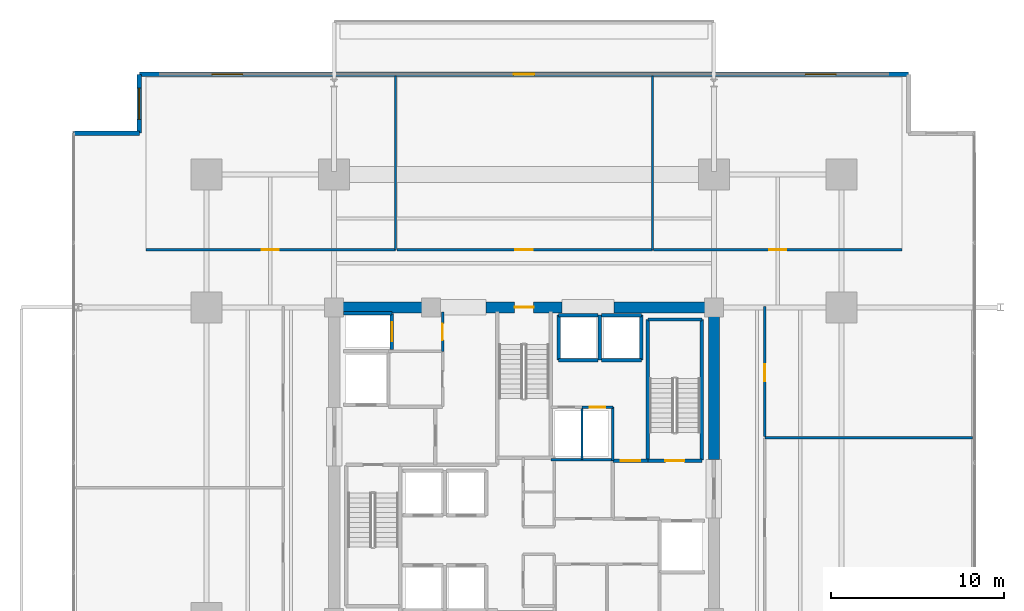
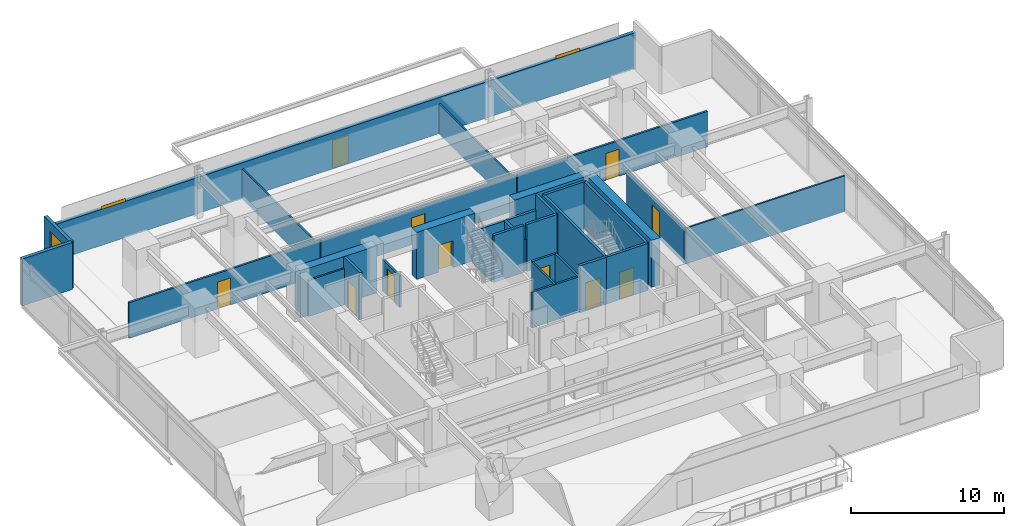
# One storey, part 17 of 22: 33 walls, 11 doors, 3 windows, 14 openings.
"""IFC4 building model written with IfcOpenShell, lengths in metres."""

from ifc_helpers import new_model, si_unit, direction, frame, frame_2d, origin, place, context, subcontext, project, spatial, rectangle, extrude, material, layer, layer_set, type_object, element, fill, save


model = new_model("IFC4")

# Units and contexts
model_context = context("Model", 3, precision=1e-05, world=origin(), true_north=direction((0.0, 1.0)))
body_context = subcontext(model_context, "Body", "Model", "MODEL_VIEW")
ifc_project = project(units=[si_unit("LENGTHUNIT", "METRE"), si_unit("AREAUNIT", "SQUARE_METRE"), si_unit("VOLUMEUNIT", "CUBIC_METRE"), si_unit("PLANEANGLEUNIT", "RADIAN"), si_unit("MASSUNIT", "GRAM", prefix="KILO")], contexts=[model_context])

# Site, building, storey
site_placement = place(None, origin())
site = spatial("IfcSite", under=ifc_project, at=site_placement, CompositionType="ELEMENT")
building_placement = place(site_placement, origin())
building = spatial("IfcBuilding", under=site, at=building_placement, Name="Kovane Verandah Tower", CompositionType="ELEMENT")
storey_placement = place(building_placement, frame((0.0, 0.0, 71.60009765625)))
storey = spatial("IfcBuildingStorey", under=building, at=storey_placement, Name="L16", CompositionType="ELEMENT", Elevation=71.60009765625)

# Wall, opening, door
ifc_material_1 = material(Name="Fire-Rated Gypsum Stud Partition", Category="gypsum")
ifc_layer_1 = layer(ifc_material_1, 0.14990234375)
ifc_layer_set_1 = layer_set([ifc_layer_1], Name="Fire-Rated Gypsum Stud Partition")
wall_type_1 = type_object("IfcWallType", Name="WL-COR-150", PredefinedType="PARTITIONING", material=ifc_layer_set_1)
wall_1_placement = place(storey_placement, frame((35.280029296875, 33.949951171875, 0.0), z_axis=(0.0, 0.0, 1.0), x_axis=(0.0, 1.0, 0.0)))
wall_1 = element("IfcWall", 1, at=wall_1_placement, inside=storey, type_object=wall_type_1, Name="L16 Goods Lift Lobby East Fire Partition", PredefinedType="PARTITIONING", context=body_context, shape_type="SweptSolid", body=[
    extrude(rectangle(XDim=2.27001953125, YDim=0.14990234375, at=frame_2d((1.135009765625, 0.0))), origin(), (0.0, 0.0, 1.0), 2.539794921875),
])
opening_1_placement = place(wall_1_placement, frame((0.659912109375, 0.0, 0.0)))
opening_1 = element("IfcOpeningElement", 2, at=opening_1_placement, cuts=wall_1, Name="Opening DR-L16-008", PredefinedType="OPENING", context=body_context, shape_type="SweptSolid", body=[
    extrude(rectangle(XDim=0.949951171875, YDim=2.14990234375, at=frame_2d((0.47509765625, 1.074951171875))), frame((0.0, 0.074951171875, 0.0), z_axis=(0.0, -1.0, 0.0), x_axis=(1.0, 0.0, 0.0)), (0.0, 0.0, 1.0), 0.14990234375),
])
ifc_material_2 = material(Name="Fire-Rated Steel Refuge and Lobby Door", Category="steel")
door_type_1 = type_object("IfcDoorType", Name="DR-FIRE-950", OperationType="SINGLE_SWING_LEFT", PredefinedType="DOOR", material=ifc_material_2)
door_1_placement = place(opening_1_placement, origin())
door_1 = element("IfcDoor", 3, at=door_1_placement, inside=storey, type_object=door_type_1, Name="L16 Goods Lift Lobby Fire Door", OperationType="SINGLE_SWING_RIGHT", OverallHeight=2.14990234375, OverallWidth=0.949951171875, PredefinedType="DOOR", context=body_context, shape_type="SweptSolid", body=[
    extrude(rectangle(XDim=0.949951171875, YDim=2.14990234375, at=frame_2d((0.47509765625, 1.074951171875))), frame((0.0, 0.02490234375, 0.0), z_axis=(0.0, -1.0, 0.0), x_axis=(1.0, 0.0, 0.0)), (0.0, 0.0, 1.0), 0.050048828125),
])
fill(opening_1, door_1)

# Walls
wall_2_placement = place(storey_placement, frame((41.56005859375, 27.679931640625, 0.0), z_axis=(0.0, 0.0, 1.0), x_axis=(1.0, 0.0, 0.0)))
element("IfcWall", 4, at=wall_2_placement, inside=storey, type_object=wall_type_1, Name="L16 East Core Service Riser South Wall", PredefinedType="PARTITIONING", context=body_context, shape_type="SweptSolid", body=[
    extrude(rectangle(XDim=3.58984375, YDim=0.14990234375, at=frame_2d((1.794921875, 0.0))), origin(), (0.0, 0.0, 1.0), 2.849853515625),
])
wall_3_placement = place(storey_placement, frame((45.14990234375, 27.6201171875, 0.0), z_axis=(0.0, 0.0, 1.0), x_axis=(0.0, 1.0, 0.0)))
element("IfcWall", 5, at=wall_3_placement, inside=storey, type_object=wall_type_1, Name="L16 East Core Service Riser East Wall", PredefinedType="PARTITIONING", context=body_context, shape_type="SweptSolid", body=[
    extrude(rectangle(XDim=3.099853515625, YDim=0.14990234375, at=frame_2d((1.5498046875, 0.0))), origin(), (0.0, 0.0, 1.0), 2.849853515625),
])

# Wall, opening, door
wall_4_placement = place(storey_placement, frame((43.360107421875, 30.719970703125, 0.0), z_axis=(0.0, 0.0, 1.0), x_axis=(1.0, 0.0, 0.0)))
wall_4 = element("IfcWall", 6, at=wall_4_placement, inside=storey, type_object=wall_type_1, Name="L16 Smoke Extract Duct Room Partition", PredefinedType="PARTITIONING", context=body_context, shape_type="SweptSolid", body=[
    extrude(rectangle(XDim=1.789794921875, YDim=0.14990234375, at=frame_2d((0.89501953125, 0.0))), origin(), (0.0, 0.0, 1.0), 2.849853515625),
])
opening_2_placement = place(wall_4_placement, frame((0.455078125, 0.0, 0.0)))
opening_2 = element("IfcOpeningElement", 7, at=opening_2_placement, cuts=wall_4, Name="Opening DR-L16-018", PredefinedType="OPENING", context=body_context, shape_type="SweptSolid", body=[
    extrude(rectangle(XDim=0.8798828125, YDim=2.10009765625, at=frame_2d((0.43994140625, 1.050048828125))), frame((0.0, 0.074951171875, 0.0), z_axis=(0.0, -1.0, 0.0), x_axis=(1.0, 0.0, 0.0)), (0.0, 0.0, 1.0), 0.14990234375),
])
ifc_material_3 = material(Name="Fire-Rated Steel Riser Access Door", Category="steel")
door_type_2 = type_object("IfcDoorType", Name="DR-RISER-880", OperationType="SINGLE_SWING_LEFT", PredefinedType="DOOR", material=ifc_material_3)
door_2_placement = place(opening_2_placement, origin())
door_2 = element("IfcDoor", 8, at=door_2_placement, inside=storey, type_object=door_type_2, Name="L16 Smoke Extract Duct Room Door", OperationType="SINGLE_SWING_RIGHT", OverallHeight=2.10009765625, OverallWidth=0.8798828125, PredefinedType="DOOR", context=body_context, shape_type="SweptSolid", body=[
    extrude(rectangle(XDim=0.8798828125, YDim=2.10009765625, at=frame_2d((0.43994140625, 1.050048828125))), frame((0.0, 0.02490234375, 0.0), z_axis=(0.0, -1.0, 0.0), x_axis=(1.0, 0.0, 0.0)), (0.0, 0.0, 1.0), 0.050048828125),
])
fill(opening_2, door_2)

wall_5_placement = place(storey_placement, frame((18.113525390625, 39.85009765625, 0.0), z_axis=(0.0, 0.0, 1.0), x_axis=(1.0, 0.0, 0.0)))
wall_5 = element("IfcWall", 9, at=wall_5_placement, inside=storey, type_object=wall_type_1, Name="L16 Meeting Room N1 Corridor Partition", PredefinedType="PARTITIONING", context=body_context, shape_type="SweptSolid", body=[
    extrude(rectangle(XDim=14.445068359375, YDim=0.14990234375, at=frame_2d((7.22265625, 0.0))), origin(), (0.0, 0.0, 1.0), 2.849853515625),
])
opening_3_placement = place(wall_5_placement, frame((6.6875, 0.0, 0.0)))
opening_3 = element("IfcOpeningElement", 10, at=opening_3_placement, cuts=wall_5, Name="Opening DR-L16-019", PredefinedType="OPENING", context=body_context, shape_type="SweptSolid", body=[
    extrude(rectangle(XDim=1.0, YDim=2.14990234375, at=frame_2d((0.5, 1.074951171875))), frame((0.0, 0.074951171875, 0.0), z_axis=(0.0, -1.0, 0.0), x_axis=(1.0, 0.0, 0.0)), (0.0, 0.0, 1.0), 0.14990234375),
])
ifc_material_4 = material(Name="FSC Spotted-Gum Timber Fire-Rated Office Door", Category="wood")
door_type_3 = type_object("IfcDoorType", Name="DR-OFF-1000", OperationType="SINGLE_SWING_LEFT", PredefinedType="DOOR", material=ifc_material_4)
door_3_placement = place(opening_3_placement, origin())
door_3 = element("IfcDoor", 11, at=door_3_placement, inside=storey, type_object=door_type_3, Name="L16 Meeting Room N1 Entrance Door", OperationType="SINGLE_SWING_LEFT", OverallHeight=2.14990234375, OverallWidth=1.0, PredefinedType="DOOR", context=body_context, shape_type="SweptSolid", body=[
    extrude(rectangle(XDim=1.0, YDim=2.14990234375, at=frame_2d((0.5, 1.074951171875))), frame((0.0, 0.02490234375, 0.0), z_axis=(0.0, -1.0, 0.0), x_axis=(1.0, 0.0, 0.0)), (0.0, 0.0, 1.0), 0.050048828125),
])
fill(opening_3, door_3)

wall_6_placement = place(storey_placement, frame((32.628662109375, 39.85009765625, 0.0), z_axis=(0.0, 0.0, 1.0), x_axis=(1.0, 0.0, 0.0)))
wall_6 = element("IfcWall", 12, at=wall_6_placement, inside=storey, type_object=wall_type_1, Name="L16 Focus Studio N2 Corridor Partition", PredefinedType="PARTITIONING", context=body_context, shape_type="SweptSolid", body=[
    extrude(rectangle(XDim=14.812744140625, YDim=0.14990234375, at=frame_2d((7.40625, 0.0))), origin(), (0.0, 0.0, 1.0), 2.849853515625),
])
opening_4_placement = place(wall_6_placement, frame((6.871337890625, 0.0, 0.0)))
opening_4 = element("IfcOpeningElement", 13, at=opening_4_placement, cuts=wall_6, Name="Opening DR-L16-020", PredefinedType="OPENING", context=body_context, shape_type="SweptSolid", body=[
    extrude(rectangle(XDim=1.0, YDim=2.14990234375, at=frame_2d((0.5, 1.074951171875))), frame((0.0, 0.074951171875, 0.0), z_axis=(0.0, -1.0, 0.0), x_axis=(1.0, 0.0, 0.0)), (0.0, 0.0, 1.0), 0.14990234375),
])
door_4_placement = place(opening_4_placement, origin())
door_4 = element("IfcDoor", 14, at=door_4_placement, inside=storey, type_object=door_type_3, Name="L16 Focus Studio N2 Entrance Door", OperationType="SINGLE_SWING_RIGHT", OverallHeight=2.14990234375, OverallWidth=1.0, PredefinedType="DOOR", context=body_context, shape_type="SweptSolid", body=[
    extrude(rectangle(XDim=1.0, YDim=2.14990234375, at=frame_2d((0.5, 1.074951171875))), frame((0.0, 0.02490234375, 0.0), z_axis=(0.0, -1.0, 0.0), x_axis=(1.0, 0.0, 0.0)), (0.0, 0.0, 1.0), 0.050048828125),
])
fill(opening_4, door_4)

wall_7_placement = place(storey_placement, frame((47.511474609375, 39.85009765625, 0.0), z_axis=(0.0, 0.0, 1.0), x_axis=(1.0, 0.0, 0.0)))
wall_7 = element("IfcWall", 15, at=wall_7_placement, inside=storey, type_object=wall_type_1, Name="L16 Breakout Pantry N3 Corridor Partition", PredefinedType="PARTITIONING", context=body_context, shape_type="SweptSolid", body=[
    extrude(rectangle(XDim=14.375, YDim=0.14990234375, at=frame_2d((7.1875, 0.0))), origin(), (0.0, 0.0, 1.0), 2.849853515625),
])
opening_5_placement = place(wall_7_placement, frame((6.6875, 0.0, 0.0)))
opening_5 = element("IfcOpeningElement", 16, at=opening_5_placement, cuts=wall_7, Name="Opening DR-L16-021", PredefinedType="OPENING", context=body_context, shape_type="SweptSolid", body=[
    extrude(rectangle(XDim=1.0, YDim=2.14990234375, at=frame_2d((0.5, 1.074951171875))), frame((0.0, 0.074951171875, 0.0), z_axis=(0.0, -1.0, 0.0), x_axis=(1.0, 0.0, 0.0)), (0.0, 0.0, 1.0), 0.14990234375),
])
door_5_placement = place(opening_5_placement, origin())
door_5 = element("IfcDoor", 17, at=door_5_placement, inside=storey, type_object=door_type_3, Name="L16 Breakout Pantry N3 Entrance Door", OperationType="SINGLE_SWING_LEFT", OverallHeight=2.14990234375, OverallWidth=1.0, PredefinedType="DOOR", context=body_context, shape_type="SweptSolid", body=[
    extrude(rectangle(XDim=1.0, YDim=2.14990234375, at=frame_2d((0.5, 1.074951171875))), frame((0.0, 0.02490234375, 0.0), z_axis=(0.0, -1.0, 0.0), x_axis=(1.0, 0.0, 0.0)), (0.0, 0.0, 1.0), 0.050048828125),
])
fill(opening_5, door_5)

wall_8_placement = place(storey_placement, frame((53.949951171875, 29.01806640625, 0.0), z_axis=(0.0, 0.0, 1.0), x_axis=(0.0, 1.0, 0.0)))
wall_8 = element("IfcWall", 18, at=wall_8_placement, inside=storey, type_object=wall_type_1, Name="L16 Focus Studio E2 Corridor Partition", PredefinedType="PARTITIONING", context=body_context, shape_type="SweptSolid", body=[
    extrude(rectangle(XDim=7.531982421875, YDim=0.14990234375, at=frame_2d((3.76611328125, 0.0))), origin(), (0.0, 0.0, 1.0), 2.849853515625),
])
opening_6_placement = place(wall_8_placement, frame((3.19091796875, 0.0, 0.0)))
opening_6 = element("IfcOpeningElement", 19, at=opening_6_placement, cuts=wall_8, Name="Opening DR-L16-013", PredefinedType="OPENING", context=body_context, shape_type="SweptSolid", body=[
    extrude(rectangle(XDim=1.0, YDim=2.14990234375, at=frame_2d((0.5, 1.074951171875))), frame((0.0, 0.074951171875, 0.0), z_axis=(0.0, -1.0, 0.0), x_axis=(1.0, 0.0, 0.0)), (0.0, 0.0, 1.0), 0.14990234375),
])
door_6_placement = place(opening_6_placement, origin())
door_6 = element("IfcDoor", 20, at=door_6_placement, inside=storey, type_object=door_type_3, Name="L16 Focus Studio E2 Entrance Door", OperationType="SINGLE_SWING_RIGHT", OverallHeight=2.14990234375, OverallWidth=1.0, PredefinedType="DOOR", context=body_context, shape_type="SweptSolid", body=[
    extrude(rectangle(XDim=1.0, YDim=2.14990234375, at=frame_2d((0.5, 1.074951171875))), frame((0.0, 0.02490234375, 0.0), z_axis=(0.0, -1.0, 0.0), x_axis=(1.0, 0.0, 0.0)), (0.0, 0.0, 1.0), 0.050048828125),
])
fill(opening_6, door_6)

# Wall
ifc_material_5 = material(Name="Concrete C80/95", Category="concrete")
ifc_layer_2 = layer(ifc_material_5, 0.64990234375)
ifc_layer_set_2 = layer_set([ifc_layer_2], Name="Concrete C80/95")
wall_type_2 = type_object("IfcWallType", Name="WL-CORE-650", PredefinedType="SHEAR", material=ifc_layer_set_2)
wall_9_placement = place(storey_placement, frame((29.0, 36.5, 0.0), z_axis=(0.0, 0.0, 1.0), x_axis=(1.0, 0.0, 0.0)))
element("IfcWall", 21, at=wall_9_placement, inside=storey, type_object=wall_type_2, Name="L16 Core Shear Wall CN-1", PredefinedType="SHEAR", context=body_context, shape_type="SweptSolid", body=[
    extrude(rectangle(XDim=5.800048828125, YDim=0.64990234375, at=frame_2d((2.89990234375, 0.0))), origin(), (0.0, 0.0, 1.0), 3.760009765625),
])

# Wall, opening, door
wall_10_placement = place(storey_placement, frame((37.800048828125, 36.5, 0.0), z_axis=(0.0, 0.0, 1.0), x_axis=(1.0, 0.0, 0.0)))
wall_10 = element("IfcWall", 22, at=wall_10_placement, inside=storey, type_object=wall_type_2, Name="L16 Core Shear Wall CN-2", PredefinedType="SHEAR", context=body_context, shape_type="SweptSolid", body=[
    extrude(rectangle(XDim=4.39990234375, YDim=0.64990234375, at=frame_2d((2.199951171875, 0.0))), origin(), (0.0, 0.0, 1.0), 3.760009765625),
])
opening_7_placement = place(wall_10_placement, frame((1.64990234375, 0.0, 0.0)))
opening_7 = element("IfcOpeningElement", 23, at=opening_7_placement, cuts=wall_10, Name="Opening DR-L16-011", PredefinedType="OPENING", context=body_context, shape_type="SweptSolid", body=[
    extrude(rectangle(XDim=1.10009765625, YDim=2.14990234375, at=frame_2d((0.550048828125, 1.074951171875))), frame((0.0, 0.324951171875, 0.0), z_axis=(0.0, -1.0, 0.0), x_axis=(1.0, 0.0, 0.0)), (0.0, 0.0, 1.0), 0.64990234375),
])
ifc_material_6 = material(Name="Fire-Rated Steel Exit Door", Category="steel")
door_type_4 = type_object("IfcDoorType", Name="DR-STAIR-1100", OperationType="SINGLE_SWING_LEFT", PredefinedType="DOOR", material=ifc_material_6)
door_7_placement = place(opening_7_placement, origin())
door_7 = element("IfcDoor", 24, at=door_7_placement, inside=storey, type_object=door_type_4, Name="L16 ST-03 Fire Exit Stair Door", OperationType="SINGLE_SWING_RIGHT", OverallHeight=2.14990234375, OverallWidth=1.10009765625, PredefinedType="DOOR", context=body_context, shape_type="SweptSolid", body=[
    extrude(rectangle(XDim=1.10009765625, YDim=2.14990234375, at=frame_2d((0.550048828125, 1.074951171875))), frame((0.0, 0.02490234375, 0.0), z_axis=(0.0, -1.0, 0.0), x_axis=(1.0, 0.0, 0.0)), (0.0, 0.0, 1.0), 0.050048828125),
])
fill(opening_7, door_7)

# Walls
wall_11_placement = place(storey_placement, frame((45.199951171875, 36.5, 0.0), z_axis=(0.0, 0.0, 1.0), x_axis=(1.0, 0.0, 0.0)))
element("IfcWall", 25, at=wall_11_placement, inside=storey, type_object=wall_type_2, Name="L16 Core Shear Wall CN-3", PredefinedType="SHEAR", context=body_context, shape_type="SweptSolid", body=[
    extrude(rectangle(XDim=5.800048828125, YDim=0.64990234375, at=frame_2d((2.89990234375, 0.0))), origin(), (0.0, 0.0, 1.0), 3.760009765625),
])
wall_12_placement = place(storey_placement, frame((51.0, 27.699951171875, 0.0), z_axis=(0.0, 0.0, 1.0), x_axis=(0.0, 1.0, 0.0)))
element("IfcWall", 26, at=wall_12_placement, inside=storey, type_object=wall_type_2, Name="L16 Core Shear Wall CE-2", PredefinedType="SHEAR", context=body_context, shape_type="SweptSolid", body=[
    extrude(rectangle(XDim=8.800048828125, YDim=0.64990234375, at=frame_2d((4.39990234375, 0.0))), origin(), (0.0, 0.0, 1.0), 3.760009765625),
])

# Wall, opening, door
ifc_material_7 = material(Name="Concrete C45/55 Fire Wall", Category="concrete")
ifc_layer_3 = layer(ifc_material_7, 0.199951171875)
ifc_layer_set_3 = layer_set([ifc_layer_3], Name="Concrete C45/55 Fire Wall")
wall_type_3 = type_object("IfcWallType", Name="WL-FFL-200", PredefinedType="PARTITIONING", material=ifc_layer_set_3)
wall_13_placement = place(storey_placement, frame((45.14990234375, 27.6201171875, 0.0), z_axis=(0.0, 0.0, 1.0), x_axis=(1.0, 0.0, 0.0)))
wall_13 = element("IfcWall", 27, at=wall_13_placement, inside=storey, type_object=wall_type_3, Name="W-L16-FFLE-N", PredefinedType="PARTITIONING", context=body_context, shape_type="SweptSolid", body=[
    extrude(rectangle(XDim=2.030029296875, YDim=0.199951171875, at=frame_2d((1.01513671875, 0.0))), origin(), (0.0, 0.0, 1.0), 3.760009765625),
])
opening_8_placement = place(wall_13_placement, frame((0.43994140625, 0.0, 0.0)))
opening_8 = element("IfcOpeningElement", 28, at=opening_8_placement, cuts=wall_13, Name="Opening DR-L16-004", PredefinedType="OPENING", context=body_context, shape_type="SweptSolid", body=[
    extrude(rectangle(XDim=1.14990234375, YDim=2.199951171875, at=frame_2d((0.574951171875, 1.10009765625))), frame((0.0, 0.10009765625, 0.0), z_axis=(0.0, -1.0, 0.0), x_axis=(1.0, 0.0, 0.0)), (0.0, 0.0, 1.0), 0.199951171875),
])
ifc_material_8 = material(Name="Smoke-Sealed Firefighting Lobby Door", Category="steel")
door_type_5 = type_object("IfcDoorType", Name="DR-FFL-1150", OperationType="SINGLE_SWING_LEFT", PredefinedType="DOOR", material=ifc_material_8)
door_8_placement = place(opening_8_placement, origin())
door_8 = element("IfcDoor", 29, at=door_8_placement, inside=storey, type_object=door_type_5, Name="L16 East Firefighting Lobby Shuttle Link Door", OperationType="SINGLE_SWING_LEFT", OverallHeight=2.199951171875, OverallWidth=1.14990234375, PredefinedType="DOOR", context=body_context, shape_type="SweptSolid", body=[
    extrude(rectangle(XDim=1.14990234375, YDim=2.199951171875, at=frame_2d((0.574951171875, 1.10009765625))), frame((0.0, 0.02490234375, 0.0), z_axis=(0.0, -1.0, 0.0), x_axis=(1.0, 0.0, 0.0)), (0.0, 0.0, 1.0), 0.050048828125),
])
fill(opening_8, door_8)

# Wall
ifc_material_9 = material(Name="Concrete C45/55 Lift Shaft Wall", Category="concrete")
ifc_layer_4 = layer(ifc_material_9, 0.199951171875)
ifc_layer_set_4 = layer_set([ifc_layer_4], Name="Concrete C45/55 Lift Shaft Wall")
wall_type_4 = type_object("IfcWallType", Name="WL-LIFT-200", PredefinedType="SOLIDWALL", material=ifc_layer_set_4)
wall_14_placement = place(storey_placement, frame((32.35009765625, 36.14990234375, 0.0), z_axis=(0.0, 0.0, 1.0), x_axis=(-1.0, 0.0, 0.0)))
element("IfcWall", 30, at=wall_14_placement, inside=storey, type_object=wall_type_4, Name="L16 Lift GL-01 N Shaft Wall", PredefinedType="SOLIDWALL", context=body_context, shape_type="SweptSolid", body=[
    extrude(rectangle(XDim=2.800048828125, YDim=0.199951171875, at=frame_2d((1.39990234375, 0.0))), origin(), (0.0, 0.0, 1.0), 2.88916015625),
])

# Wall, opening, door
wall_15_placement = place(storey_placement, frame((32.35009765625, 34.050048828125, 0.0), z_axis=(0.0, 0.0, 1.0), x_axis=(0.0, 1.0, 0.0)))
wall_15 = element("IfcWall", 31, at=wall_15_placement, inside=storey, type_object=wall_type_4, Name="L16 Lift GL-01 E Shaft Wall", PredefinedType="SOLIDWALL", context=body_context, shape_type="SweptSolid", body=[
    extrude(rectangle(XDim=2.099853515625, YDim=0.199951171875, at=frame_2d((1.0498046875, 0.0))), origin(), (0.0, 0.0, 1.0), 3.760009765625),
])
opening_9_placement = place(wall_15_placement, frame((0.5, 0.0, 0.0)))
opening_9 = element("IfcOpeningElement", 32, at=opening_9_placement, cuts=wall_15, Name="Opening LD-L16-003", PredefinedType="OPENING", context=body_context, shape_type="SweptSolid", body=[
    extrude(rectangle(XDim=1.10009765625, YDim=2.199951171875, at=frame_2d((0.550048828125, 1.10009765625))), frame((0.0, 0.10009765625, 0.0), z_axis=(0.0, -1.0, 0.0), x_axis=(1.0, 0.0, 0.0)), (0.0, 0.0, 1.0), 0.199951171875),
])
ifc_material_10 = material(Name="Brushed Stainless Steel Sliding Lift Landing Door", Category="steel")
door_type_6 = type_object("IfcDoorType", Name="DR-LIFT-1100", OperationType="SLIDING_TO_RIGHT", PredefinedType="DOOR", material=ifc_material_10)
door_9_placement = place(opening_9_placement, origin())
door_9 = element("IfcDoor", 33, at=door_9_placement, inside=storey, type_object=door_type_6, Name="L16 Lift GL-01 Sliding Landing Door", OperationType="SLIDING_TO_RIGHT", OverallHeight=2.199951171875, OverallWidth=1.10009765625, PredefinedType="DOOR", context=body_context, shape_type="SweptSolid", body=[
    extrude(rectangle(XDim=1.10009765625, YDim=2.199951171875, at=frame_2d((0.550048828125, 1.10009765625))), frame((0.0, 0.02490234375, 0.0), z_axis=(0.0, -1.0, 0.0), x_axis=(1.0, 0.0, 0.0)), (0.0, 0.0, 1.0), 0.050048828125),
])
fill(opening_9, door_9)

# Walls
wall_16_placement = place(storey_placement, frame((42.0, 33.449951171875, 0.0), z_axis=(0.0, 0.0, 1.0), x_axis=(1.0, 0.0, 0.0)))
element("IfcWall", 34, at=wall_16_placement, inside=storey, type_object=wall_type_4, Name="L16 Lift SL-01 S Shaft Wall", PredefinedType="SOLIDWALL", context=body_context, shape_type="SweptSolid", body=[
    extrude(rectangle(XDim=2.300048828125, YDim=0.199951171875, at=frame_2d((1.14990234375, 0.0))), origin(), (0.0, 0.0, 1.0), 3.760009765625),
])
wall_17_placement = place(storey_placement, frame((44.300048828125, 36.050048828125, 0.0), z_axis=(0.0, 0.0, 1.0), x_axis=(-1.0, 0.0, 0.0)))
element("IfcWall", 35, at=wall_17_placement, inside=storey, type_object=wall_type_4, Name="L16 Lift SL-01 N Shaft Wall", PredefinedType="SOLIDWALL", context=body_context, shape_type="SweptSolid", body=[
    extrude(rectangle(XDim=2.300048828125, YDim=0.199951171875, at=frame_2d((1.14990234375, 0.0))), origin(), (0.0, 0.0, 1.0), 2.539794921875),
])
for number, where, z_axis, x_axis, name in (
    (36, (42.0, 36.050048828125, 0.0), (0.0, 0.0, 1.0), (0.0, -1.0, 0.0), "L16 Lift SL-01 W Shaft Wall"),
    (37, (44.39990234375, 33.449951171875, 0.0), (0.0, 0.0, 1.0), (0.0, 1.0, 0.0), "L16 Lift OL-01 and SL-01 Shared Shaft Wall"),
):
    element("IfcWall", number, at=place(storey_placement, frame(where, z_axis=z_axis, x_axis=x_axis)), inside=storey, type_object=wall_type_4, Name=name, PredefinedType="SOLIDWALL", context=body_context, shape_type="SweptSolid", body=[
        extrude(rectangle(XDim=2.60009765625, YDim=0.199951171875, at=frame_2d((1.300048828125, 0.0))), origin(), (0.0, 0.0, 1.0), 2.539794921875),
    ])
wall_18_placement = place(storey_placement, frame((44.5, 33.449951171875, 0.0), z_axis=(0.0, 0.0, 1.0), x_axis=(1.0, 0.0, 0.0)))
element("IfcWall", 38, at=wall_18_placement, inside=storey, type_object=wall_type_4, Name="L16 Lift OL-01 S Shaft Wall", PredefinedType="SOLIDWALL", context=body_context, shape_type="SweptSolid", body=[
    extrude(rectangle(XDim=2.300048828125, YDim=0.199951171875, at=frame_2d((1.14990234375, 0.0))), origin(), (0.0, 0.0, 1.0), 3.760009765625),
])
wall_19_placement = place(storey_placement, frame((46.800048828125, 36.050048828125, 0.0), z_axis=(0.0, 0.0, 1.0), x_axis=(-1.0, 0.0, 0.0)))
element("IfcWall", 39, at=wall_19_placement, inside=storey, type_object=wall_type_4, Name="L16 Lift OL-01 N Shaft Wall", PredefinedType="SOLIDWALL", context=body_context, shape_type="SweptSolid", body=[
    extrude(rectangle(XDim=2.300048828125, YDim=0.199951171875, at=frame_2d((1.14990234375, 0.0))), origin(), (0.0, 0.0, 1.0), 2.539794921875),
])
wall_20_placement = place(storey_placement, frame((46.800048828125, 33.449951171875, 0.0), z_axis=(0.0, 0.0, 1.0), x_axis=(0.0, 1.0, 0.0)))
element("IfcWall", 40, at=wall_20_placement, inside=storey, type_object=wall_type_4, Name="L16 Lift OL-01 E Shaft Wall", PredefinedType="SOLIDWALL", context=body_context, shape_type="SweptSolid", body=[
    extrude(rectangle(XDim=2.60009765625, YDim=0.199951171875, at=frame_2d((1.300048828125, 0.0))), origin(), (0.0, 0.0, 1.0), 3.760009765625),
])
ifc_material_11 = material(Name="Acoustic Fire-Rated Gypsum Partition", Category="gypsum")
ifc_layer_5 = layer(ifc_material_11, 0.1201171875)
ifc_layer_set_5 = layer_set([ifc_layer_5], Name="Acoustic Fire-Rated Gypsum Partition")
wall_type_5 = type_object("IfcWallType", Name="WL-PART-120", PredefinedType="PARTITIONING", material=ifc_layer_set_5)
wall_21_placement = place(storey_placement, frame((43.360107421875, 27.679931640625, 0.0), z_axis=(0.0, 0.0, 1.0), x_axis=(0.0, 1.0, 0.0)))
element("IfcWall", 41, at=wall_21_placement, inside=storey, type_object=wall_type_5, Name="L16 Service Riser Dividing Partition", PredefinedType="PARTITIONING", context=body_context, shape_type="SweptSolid", body=[
    extrude(rectangle(XDim=3.0400390625, YDim=0.1201171875, at=frame_2d((1.52001953125, 0.0))), origin(), (0.0, 0.0, 1.0), 2.849853515625),
])
for number, where, z_axis, x_axis, name in (
    (42, (32.55859375, 39.85009765625, 0.0), (0.0, 0.0, 1.0), (0.0, 1.0, 0.0), "L16 Meeting Room N1 Dividing Partition"),
    (43, (47.44140625, 39.85009765625, 0.0), (0.0, 0.0, 1.0), (0.0, 1.0, 0.0), "L16 Focus Studio N2 Dividing Partition"),
):
    element("IfcWall", number, at=place(storey_placement, frame(where, z_axis=z_axis, x_axis=x_axis)), inside=storey, type_object=wall_type_5, Name=name, PredefinedType="PARTITIONING", context=body_context, shape_type="SweptSolid", body=[
        extrude(rectangle(XDim=10.05029296875, YDim=0.1201171875, at=frame_2d((5.025146484375, 0.0))), origin(), (0.0, 0.0, 1.0), 2.389892578125),
    ])
wall_22_placement = place(storey_placement, frame((53.949951171875, 28.947998046875, 0.0), z_axis=(0.0, 0.0, 1.0), x_axis=(1.0, 0.0, 0.0)))
element("IfcWall", 44, at=wall_22_placement, inside=storey, type_object=wall_type_5, Name="L16 Meeting Room E1 Dividing Partition", PredefinedType="PARTITIONING", context=body_context, shape_type="SweptSolid", body=[
    extrude(rectangle(XDim=12.036376953125, YDim=0.1201171875, at=frame_2d((6.01806640625, 0.0))), origin(), (0.0, 0.0, 1.0), 2.849853515625),
])
ifc_material_12 = material(Name="Concrete C45/55", Category="concrete")
ifc_layer_6 = layer(ifc_material_12, 0.199951171875)
ifc_layer_set_6 = layer_set([ifc_layer_6], Name="Concrete C45/55")
wall_type_6 = type_object("IfcWallType", Name="WL-SHAFT-200", PredefinedType="SOLIDWALL", material=ifc_layer_set_6)
wall_23_placement = place(storey_placement, frame((50.300048828125, 27.64990234375, 0.0), z_axis=(0.0, 0.0, 1.0), x_axis=(0.0, 1.0, 0.0)))
element("IfcWall", 45, at=wall_23_placement, inside=storey, type_object=wall_type_6, Name="W-L16-ST02-E", PredefinedType="SOLIDWALL", context=body_context, shape_type="SweptSolid", body=[
    extrude(rectangle(XDim=8.150146484375, YDim=0.199951171875, at=frame_2d((4.0751953125, 0.0))), origin(), (0.0, 0.0, 1.0), 3.760009765625),
])
wall_24_placement = place(storey_placement, frame((47.179931640625, 35.800048828125, 0.0), z_axis=(0.0, 0.0, 1.0), x_axis=(1.0, 0.0, 0.0)))
element("IfcWall", 46, at=wall_24_placement, inside=storey, type_object=wall_type_6, Name="W-L16-ST02-N", PredefinedType="SOLIDWALL", context=body_context, shape_type="SweptSolid", body=[
    extrude(rectangle(XDim=3.1201171875, YDim=0.199951171875, at=frame_2d((1.56005859375, 0.0))), origin(), (0.0, 0.0, 1.0), 3.760009765625),
])
wall_25_placement = place(storey_placement, frame((47.179931640625, 27.6201171875, 0.0), z_axis=(0.0, 0.0, 1.0), x_axis=(0.0, 1.0, 0.0)))
element("IfcWall", 47, at=wall_25_placement, inside=storey, type_object=wall_type_6, Name="W-L16-ST02-W", PredefinedType="SOLIDWALL", context=body_context, shape_type="SweptSolid", body=[
    extrude(rectangle(XDim=8.179931640625, YDim=0.199951171875, at=frame_2d((4.08984375, 0.0))), origin(), (0.0, 0.0, 1.0), 3.760009765625),
])

# Wall, opening, door
wall_26_placement = place(storey_placement, frame((47.179931640625, 27.6201171875, 0.0), z_axis=(0.0, 0.0, 1.0), x_axis=(1.0, 0.0, 0.0)))
wall_26 = element("IfcWall", 48, at=wall_26_placement, inside=storey, type_object=wall_type_6, Name="W-L16-ST02-S", PredefinedType="SOLIDWALL", context=body_context, shape_type="SweptSolid", body=[
    extrude(rectangle(XDim=3.1201171875, YDim=0.199951171875, at=frame_2d((1.56005859375, 0.0))), origin(), (0.0, 0.0, 1.0), 3.760009765625),
])
opening_10_placement = place(wall_26_placement, frame((1.010009765625, 0.0, 0.0)))
opening_10 = element("IfcOpeningElement", 49, at=opening_10_placement, cuts=wall_26, Name="Opening DR-L16-010", PredefinedType="OPENING", context=body_context, shape_type="SweptSolid", body=[
    extrude(rectangle(XDim=1.10009765625, YDim=2.14990234375, at=frame_2d((0.550048828125, 1.074951171875))), frame((0.0, 0.10009765625, 0.0), z_axis=(0.0, -1.0, 0.0), x_axis=(1.0, 0.0, 0.0)), (0.0, 0.0, 1.0), 0.199951171875),
])
door_10_placement = place(opening_10_placement, origin())
door_10 = element("IfcDoor", 50, at=door_10_placement, inside=storey, type_object=door_type_4, Name="L16 ST-02 Fire Exit Stair Door", OperationType="SINGLE_SWING_LEFT", OverallHeight=2.14990234375, OverallWidth=1.10009765625, PredefinedType="DOOR", context=body_context, shape_type="SweptSolid", body=[
    extrude(rectangle(XDim=1.10009765625, YDim=2.14990234375, at=frame_2d((0.550048828125, 1.074951171875))), frame((0.0, 0.02490234375, 0.0), z_axis=(0.0, -1.0, 0.0), x_axis=(1.0, 0.0, 0.0)), (0.0, 0.0, 1.0), 0.050048828125),
])
fill(opening_10, door_10)

# Wall, openings, door, windows
ifc_material_13 = material(Name="Concrete C45/55 Insulated Spandrel Wall", Category="concrete")
ifc_layer_7 = layer(ifc_material_13, 0.260009765625)
ifc_layer_set_7 = layer_set([ifc_layer_7], Name="Concrete C45/55 Insulated Spandrel Wall")
wall_type_7 = type_object("IfcWallType", Name="WL-SPANDREL-260", PredefinedType="PARAPET", material=ifc_layer_set_7)
wall_27_placement = place(storey_placement, frame((62.286376953125, 50.00048828125, 0.0), z_axis=(0.0, 0.0, 1.0), x_axis=(-1.0, 0.0, 0.0)))
wall_27 = element("IfcWall", 51, at=wall_27_placement, inside=storey, type_object=wall_type_7, Name="L16 N Verandah Access Facade Wall", PredefinedType="PARAPET", context=body_context, shape_type="SweptSolid", body=[
    extrude(rectangle(XDim=44.57275390625, YDim=0.260009765625, at=frame_2d((22.286376953125, 0.0))), origin(), (0.0, 0.0, 1.0), 2.88916015625),
])
opening_11_placement = place(wall_27_placement, frame((4.199951171875, 0.0, 0.85009765625)))
opening_11 = element("IfcOpeningElement", 52, at=opening_11_placement, cuts=wall_27, Name="Opening W-03", PredefinedType="OPENING", context=body_context, shape_type="SweptSolid", body=[
    extrude(rectangle(XDim=1.800048828125, YDim=2.199951171875, at=frame_2d((0.89990234375, 1.10009765625))), frame((0.0, 0.1298828125, 0.0), z_axis=(0.0, -1.0, 0.0), x_axis=(1.0, 0.0, 0.0)), (0.0, 0.0, 1.0), 0.260009765625),
])
opening_12_placement = place(wall_27_placement, frame((21.686279296875, 0.0, 0.0)))
opening_12 = element("IfcOpeningElement", 53, at=opening_12_placement, cuts=wall_27, Name="Opening DR-L16-001", PredefinedType="OPENING", context=body_context, shape_type="SweptSolid", body=[
    extrude(rectangle(XDim=1.199951171875, YDim=2.199951171875, at=frame_2d((0.60009765625, 1.10009765625))), frame((0.0, 0.1298828125, 0.0), z_axis=(0.0, -1.0, 0.0), x_axis=(1.0, 0.0, 0.0)), (0.0, 0.0, 1.0), 0.260009765625),
])
opening_13_placement = place(wall_27_placement, frame((38.57275390625, 0.0, 0.85009765625)))
opening_13 = element("IfcOpeningElement", 54, at=opening_13_placement, cuts=wall_27, Name="Opening W-03", PredefinedType="OPENING", context=body_context, shape_type="SweptSolid", body=[
    extrude(rectangle(XDim=1.800048828125, YDim=2.199951171875, at=frame_2d((0.89990234375, 1.10009765625))), frame((0.0, 0.1298828125, 0.0), z_axis=(0.0, -1.0, 0.0), x_axis=(1.0, 0.0, 0.0)), (0.0, 0.0, 1.0), 0.260009765625),
])
ifc_material_14 = material(Name="Cyclone-Rated Glazed Balcony Leaf Door", Category="aluminium")
door_type_7 = type_object("IfcDoorType", Name="DR-BAL-1200x2200", OperationType="SINGLE_SWING_LEFT", PredefinedType="DOOR", material=ifc_material_14)
door_11_placement = place(opening_12_placement, origin())
door_11 = element("IfcDoor", 55, at=door_11_placement, inside=storey, type_object=door_type_7, Name="L16 N Planted Balcony Access Door", OperationType="SINGLE_SWING_LEFT", OverallHeight=2.199951171875, OverallWidth=1.199951171875, PredefinedType="DOOR", context=body_context, shape_type="SweptSolid", body=[
    extrude(rectangle(XDim=1.199951171875, YDim=2.199951171875, at=frame_2d((0.60009765625, 1.10009765625))), frame((0.0, 0.02490234375, 0.0), z_axis=(0.0, -1.0, 0.0), x_axis=(1.0, 0.0, 0.0)), (0.0, 0.0, 1.0), 0.050048828125),
])
fill(opening_12, door_11)
ifc_material_15 = material(Name="Clear Low-E Laminated Double Glazing in Anodised Frame", Category="glass")
window_type = type_object("IfcWindowType", Name="WN-NOTCH-1800x2200", PartitioningType="SINGLE_PANEL", PredefinedType="WINDOW", material=ifc_material_15)
window_1_placement = place(opening_11_placement, origin())
window_1 = element("IfcWindow", 56, at=window_1_placement, inside=storey, type_object=window_type, Name="L16 N Verandah View Window 1", OverallHeight=2.199951171875, OverallWidth=1.800048828125, PartitioningType="SINGLE_PANEL", PredefinedType="WINDOW", context=body_context, shape_type="SweptSolid", body=[
    extrude(rectangle(XDim=1.800048828125, YDim=2.199951171875, at=frame_2d((0.89990234375, 1.10009765625))), frame((0.0, 0.030029296875, 0.0), z_axis=(0.0, -1.0, 0.0), x_axis=(1.0, 0.0, 0.0)), (0.0, 0.0, 1.0), 0.06005859375),
])
fill(opening_11, window_1)
window_2_placement = place(opening_13_placement, origin())
window_2 = element("IfcWindow", 57, at=window_2_placement, inside=storey, type_object=window_type, Name="L16 N Verandah View Window 2", OverallHeight=2.199951171875, OverallWidth=1.800048828125, PartitioningType="SINGLE_PANEL", PredefinedType="WINDOW", context=body_context, shape_type="SweptSolid", body=[
    extrude(rectangle(XDim=1.800048828125, YDim=2.199951171875, at=frame_2d((0.89990234375, 1.10009765625))), frame((0.0, 0.030029296875, 0.0), z_axis=(0.0, -1.0, 0.0), x_axis=(1.0, 0.0, 0.0)), (0.0, 0.0, 1.0), 0.06005859375),
])
fill(opening_13, window_2)

# Wall, opening, window
wall_28_placement = place(storey_placement, frame((17.713623046875, 50.00048828125, 0.0), z_axis=(0.0, 0.0, 1.0), x_axis=(0.0, -1.0, 0.0)))
wall_28 = element("IfcWall", 58, at=wall_28_placement, inside=storey, type_object=wall_type_7, Name="L16 NW Notch Cheek Wall 1", PredefinedType="PARAPET", context=body_context, shape_type="SweptSolid", body=[
    extrude(rectangle(XDim=3.39990234375, YDim=0.260009765625, at=frame_2d((1.699951171875, 0.0))), origin(), (0.0, 0.0, 1.0), 3.760009765625),
])
opening_14_placement = place(wall_28_placement, frame((0.800048828125, 0.0, 0.85009765625)))
opening_14 = element("IfcOpeningElement", 59, at=opening_14_placement, cuts=wall_28, Name="Opening W-03", PredefinedType="OPENING", context=body_context, shape_type="SweptSolid", body=[
    extrude(rectangle(XDim=1.800048828125, YDim=2.199951171875, at=frame_2d((0.89990234375, 1.10009765625))), frame((0.0, 0.1298828125, 0.0), z_axis=(0.0, -1.0, 0.0), x_axis=(1.0, 0.0, 0.0)), (0.0, 0.0, 1.0), 0.260009765625),
])
window_3_placement = place(opening_14_placement, origin())
window_3 = element("IfcWindow", 60, at=window_3_placement, inside=storey, type_object=window_type, Name="L16 NW Re-Entrant Corner Operable Window", OverallHeight=2.199951171875, OverallWidth=1.800048828125, PartitioningType="SINGLE_PANEL", PredefinedType="WINDOW", context=body_context, shape_type="SweptSolid", body=[
    extrude(rectangle(XDim=1.800048828125, YDim=2.199951171875, at=frame_2d((0.89990234375, 1.10009765625))), frame((0.0, 0.030029296875, 0.0), z_axis=(0.0, -1.0, 0.0), x_axis=(1.0, 0.0, 0.0)), (0.0, 0.0, 1.0), 0.06005859375),
])
fill(opening_14, window_3)

# Wall
wall_29_placement = place(storey_placement, frame((17.713623046875, 46.6005859375, 0.0), z_axis=(0.0, 0.0, 1.0), x_axis=(-1.0, 0.0, 0.0)))
element("IfcWall", 61, at=wall_29_placement, inside=storey, type_object=wall_type_7, Name="L16 NW Notch Cheek Wall 2", PredefinedType="PARAPET", context=body_context, shape_type="SweptSolid", body=[
    extrude(rectangle(XDim=3.800048828125, YDim=0.260009765625, at=frame_2d((1.89990234375, 0.0))), origin(), (0.0, 0.0, 1.0), 3.760009765625),
])

save(model, "model.ifc")
